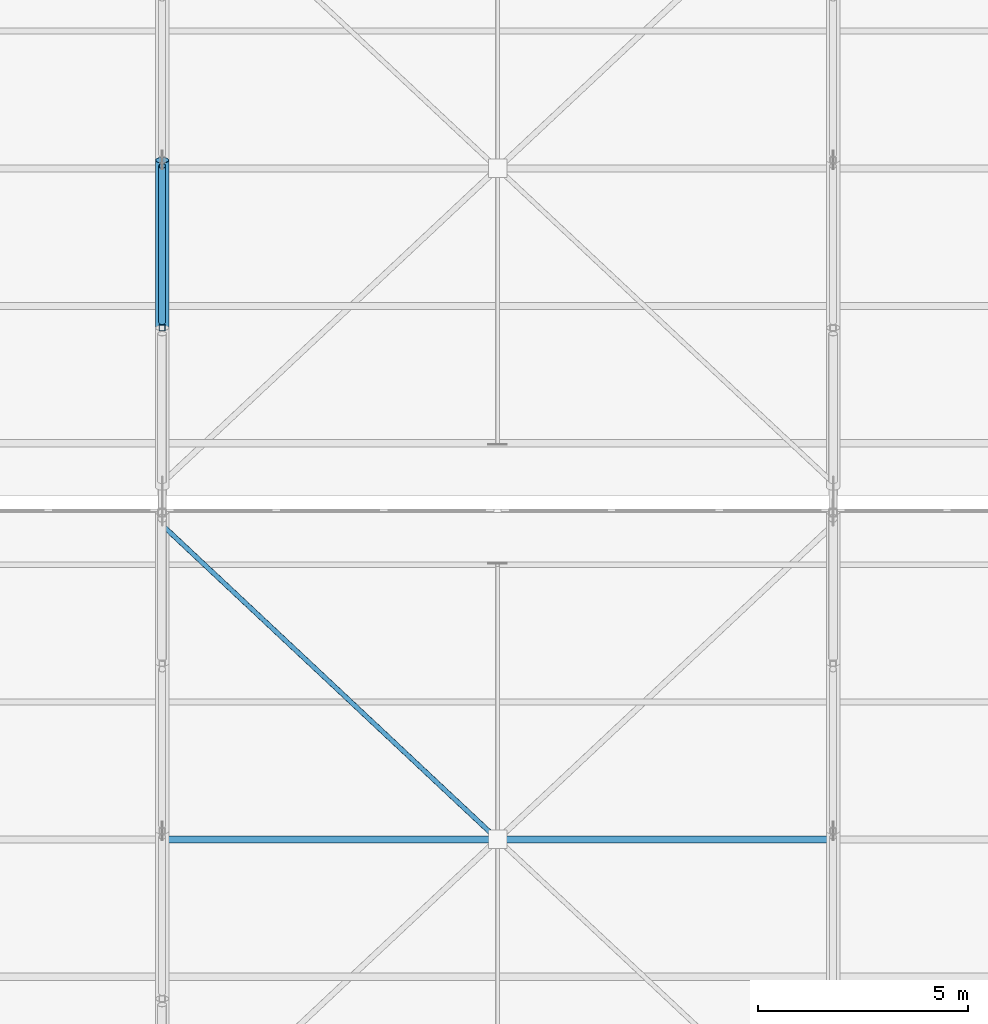
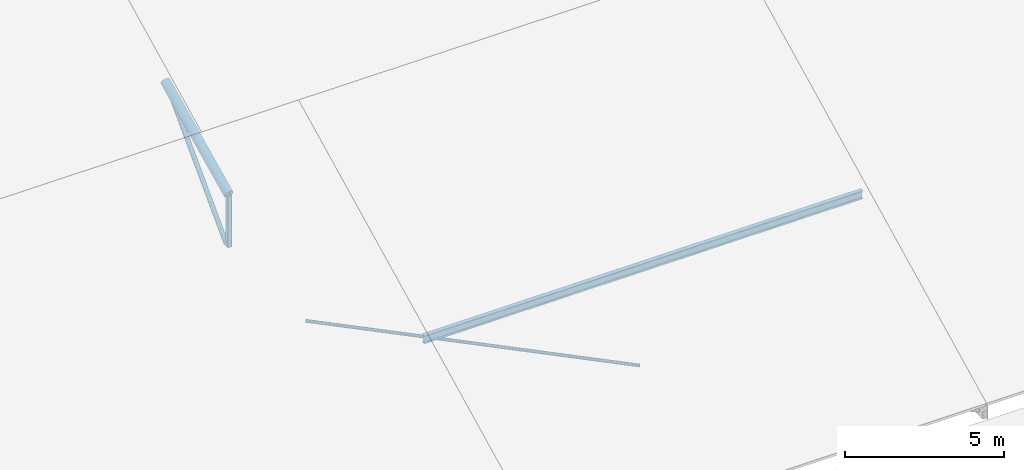
# One storey, part 76 of 137: 4 members, 1 beam.
"""IFC4 building model written with IfcOpenShell, lengths in metres."""

import ifcopenshell
import ifcopenshell.guid

model = None  # the IFC model being written
_history = None  # IfcOwnerHistory: only IFC2X3 demands one
_inside = {}  # id of a spatial element -> (the spatial element, [elements in it])
_under = {}  # id of a project, library or spatial element -> (it, [spatial elements below it])
_declared = {}  # id of a project -> (the project, [libraries it declares])
_typed = {}  # id of a type object -> (the type object, [elements of that type])
_made_of = {}  # id of a material, layer set ... -> (it, [elements and type objects made of it])


def new_model(schema):
    """Start an empty IFC model of exactly this schema.

    Asked for "IFC4X3", IfcOpenShell would pick the latest addendum, in which some entities
    have other attributes; the version numbers below select the first issue.
    IFC2X3 requires an IfcOwnerHistory on every rooted entity: one is made here for all.
    """
    global model, _history
    if schema == "IFC4X3":
        model = ifcopenshell.file(schema_version=(4, 3, 0, 0))
    else:
        model = ifcopenshell.file(schema=schema)
    _inside.clear()
    _under.clear()
    _declared.clear()
    _typed.clear()
    _made_of.clear()
    _history = None
    if model.schema == "IFC2X3":
        org = make("IfcOrganization", Name="unknown")
        user = make(
            "IfcPersonAndOrganization",
            ThePerson=make("IfcPerson", FamilyName="unknown"),
            TheOrganization=org,
        )
        app = make(
            "IfcApplication",
            ApplicationDeveloper=org,
            Version="unknown",
            ApplicationFullName="unknown",
            ApplicationIdentifier="unknown",
        )
        _history = make(
            "IfcOwnerHistory",
            OwningUser=user,
            OwningApplication=app,
            ChangeAction="ADDED",
            CreationDate=0,
        )
    return model


def make(cls, **values):
    """One entity of the class cls with the attributes given. An attribute that is None is left unset."""
    return model.create_entity(
        cls, **{name: value for name, value in values.items() if value is not None}
    )


def rooted(cls, **values):
    """An entity with a GlobalId (a new one), such as an element, a storey or a relation."""
    return make(cls, GlobalId=ifcopenshell.guid.new(), OwnerHistory=_history, **values)


def si_unit(unit_type, name, prefix=None):
    """IfcSIUnit, for example si_unit("LENGTHUNIT", "METRE", prefix="MILLI")."""
    return make("IfcSIUnit", UnitType=unit_type, Prefix=prefix, Name=name)


def assignment(units):
    """IfcUnitAssignment: the units of a project."""
    return None if units is None else make("IfcUnitAssignment", Units=units)


def point(xyz):
    """IfcCartesianPoint."""
    return None if xyz is None else make("IfcCartesianPoint", Coordinates=xyz)


def direction(xyz):
    """IfcDirection."""
    return None if xyz is None else make("IfcDirection", DirectionRatios=xyz)


def frame(location, z_axis=None, x_axis=None):
    """IfcAxis2Placement3D, a coordinate frame: its origin and axes. An axis left out is left unset."""
    return make(
        "IfcAxis2Placement3D",
        Location=point(location),
        Axis=direction(z_axis),
        RefDirection=direction(x_axis),
    )


def frame_2d(location, x_axis=None):
    """IfcAxis2Placement2D, a coordinate frame in the plane: its origin and x axis."""
    return make(
        "IfcAxis2Placement2D", Location=point(location), RefDirection=direction(x_axis)
    )


def origin():
    """The frame at (0, 0, 0) with its axes left unset."""
    return frame((0.0, 0.0, 0.0))


def origin_2d():
    """The frame at (0, 0) in the plane with its x axis left unset."""
    return frame_2d((0.0, 0.0))


def place(relative_to, where):
    """IfcLocalPlacement: puts the frame where relative to a parent placement (None: the world)."""
    return make(
        "IfcLocalPlacement", PlacementRelTo=relative_to, RelativePlacement=where
    )


def context(
    kind, dimensions, precision=None, world=None, true_north=None, identifier=None
):
    """IfcGeometricRepresentationContext, for example the 3D "Model" context."""
    return make(
        "IfcGeometricRepresentationContext",
        ContextIdentifier=identifier,
        ContextType=kind,
        CoordinateSpaceDimension=dimensions,
        Precision=precision,
        WorldCoordinateSystem=world,
        TrueNorth=true_north,
    )


def subcontext(parent, identifier, kind, view, scale=None):
    """IfcGeometricRepresentationSubContext, for example "Body" below "Model"."""
    return make(
        "IfcGeometricRepresentationSubContext",
        ContextIdentifier=identifier,
        ContextType=kind,
        ParentContext=parent,
        TargetScale=scale,
        TargetView=view,
    )


def project(units=None, contexts=None):
    """IfcProject with its units and contexts."""
    return rooted(
        "IfcProject",
        Name="project",
        RepresentationContexts=contexts,
        UnitsInContext=assignment(units),
    )


def spatial(cls, under=None, at=None, **own):
    """A site, building, storey or space (cls), placed at a placement, below another one or the project."""
    s = rooted(cls, ObjectPlacement=at, **own)
    if under is not None:
        _under.setdefault(under.id(), (under, []))[1].append(s)
    return s


def profile(cls, at=None, kind="AREA", **sizes):
    """A parametric profile (cls). Its sizes go by their IFC names, for example OverallWidth=200.0."""
    return make(cls, ProfileType=kind, Position=at, **sizes)


def hollow_rectangle(**sizes):
    """IfcRectangleHollowProfileDef."""
    return profile("IfcRectangleHollowProfileDef", **sizes)


def hollow_circle(**sizes):
    """IfcCircleHollowProfileDef."""
    return profile("IfcCircleHollowProfileDef", **sizes)


def i_section(**sizes):
    """IfcIShapeProfileDef."""
    return profile("IfcIShapeProfileDef", **sizes)


def extrude(swept, where, along, depth):
    """IfcExtrudedAreaSolid: the profile swept, set in the frame where, extruded along a direction by depth."""
    return make(
        "IfcExtrudedAreaSolid",
        SweptArea=swept,
        Position=where,
        ExtrudedDirection=direction(along),
        Depth=depth,
    )


def shape(context_of_items, identifier, shape_type, items):
    """IfcShapeRepresentation: the items that make up one representation, for example the "Body"."""
    return make(
        "IfcShapeRepresentation",
        ContextOfItems=context_of_items,
        RepresentationIdentifier=identifier,
        RepresentationType=shape_type,
        Items=items,
    )


def material(Name=None, Category=None):
    """IfcMaterial."""
    return make("IfcMaterial", Name=Name, Category=Category)


def material_profile(
    of_material, cross_section, Name=None, Category=None, Priority=None
):
    """IfcMaterialProfile: a cross section and its material."""
    return make(
        "IfcMaterialProfile",
        Name=Name,
        Material=of_material,
        Profile=cross_section,
        Priority=Priority,
        Category=Category,
    )


def profile_set(profiles, Name=None, composite=None):
    """IfcMaterialProfileSet."""
    return make(
        "IfcMaterialProfileSet",
        Name=Name,
        MaterialProfiles=profiles,
        CompositeProfile=composite,
    )


def made_of(thing, what):
    """Note that an element or type object is made of a material, layer set ...; save() writes the relation."""
    if what is not None:
        _made_of.setdefault(what.id(), (what, []))[1].append(thing)
    return thing


def type_object(cls, material=None, **own):
    """A type object (cls), such as IfcWallType, which elements share."""
    return made_of(rooted(cls, **own), material)


def element(
    cls,
    number,
    at=None,
    inside=None,
    cuts=None,
    type_object=None,
    material=None,
    context=None,
    identifier="Body",
    shape_type=None,
    held_by="IfcProductDefinitionShape",
    body=None,
    shapes=None,
    **own,
):
    """One element of the class cls, such as IfcWall. Its Tag is "e" and its number.

    at: its placement. inside: the storey or other place that contains it. cuts: it is an
    opening in that element (IfcRelVoidsElement). A single representation is given by context,
    identifier, shape_type and body (its items); several are given by shapes. held_by: the class
    of the entity that holds the representations. save() writes the other relations.
    """
    e = rooted(cls, Tag="e%d" % number, ObjectPlacement=at, **own)
    if body is not None:
        shapes = [shape(context, identifier, shape_type, body)]
    if shapes is not None:
        e.Representation = make(held_by, Representations=shapes)
    if inside is not None:
        _inside.setdefault(inside.id(), (inside, []))[1].append(e)
    if cuts is not None:
        rooted(
            "IfcRelVoidsElement", RelatingBuildingElement=cuts, RelatedOpeningElement=e
        )
    if type_object is not None:
        _typed.setdefault(type_object.id(), (type_object, []))[1].append(e)
    return made_of(e, material)


def aggregate(whole, parts):
    """IfcRelAggregates: a whole, such as a stair, and the parts it consists of."""
    return rooted("IfcRelAggregates", RelatingObject=whole, RelatedObjects=parts)


def save(model, path):
    """Write the relations noted so far, then the file.

    IfcRelAggregates (storeys below a building ...), IfcRelContainedInSpatialStructure (elements
    in a storey), IfcRelDefinesByType, IfcRelAssociatesMaterial and IfcRelDeclares: one each for
    every whole, place, type object, material and project.
    """
    for whole, parts in _under.values():
        aggregate(whole, parts)
    for where, things in _inside.values():
        rooted(
            "IfcRelContainedInSpatialStructure",
            RelatedElements=things,
            RelatingStructure=where,
        )
    for kind, things in _typed.values():
        rooted("IfcRelDefinesByType", RelatedObjects=things, RelatingType=kind)
    for what, things in _made_of.values():
        rooted("IfcRelAssociatesMaterial", RelatedObjects=things, RelatingMaterial=what)
    for by, libraries in _declared.values():
        rooted("IfcRelDeclares", RelatingContext=by, RelatedDefinitions=libraries)
    model.write(path)


model = new_model("IFC4")

# Units and contexts
model_context = context("Model", 3, precision=1e-05, world=origin(), true_north=direction((0.0, 1.0)))
body_context = subcontext(model_context, "Body", "Model", "MODEL_VIEW")
ifc_project = project(units=[si_unit("LENGTHUNIT", "METRE"), si_unit("AREAUNIT", "SQUARE_METRE"), si_unit("VOLUMEUNIT", "CUBIC_METRE"), si_unit("PLANEANGLEUNIT", "RADIAN"), si_unit("MASSUNIT", "GRAM", prefix="KILO")], contexts=[model_context])

# Site, building, storey
site_placement = place(None, origin())
site = spatial("IfcSite", under=ifc_project, at=site_placement, CompositionType="ELEMENT")
building_placement = place(site_placement, origin())
building = spatial("IfcBuilding", under=site, at=building_placement, Name="Jelvoka-Kovrelna Polytechnic", CompositionType="ELEMENT")
storey_placement = place(building_placement, frame((0.0, 0.0, 9.60009765625)))
storey = spatial("IfcBuildingStorey", under=building, at=storey_placement, Name="L03", CompositionType="ELEMENT", Elevation=9.60009765625)

# Members
ifc_material_1 = material(Name="Structural steel S355J2H", Category="steel")
ifc_material_profile_1 = material_profile(ifc_material_1, hollow_circle(Radius=0.05712890625, WallThickness=0.00634765625, at=origin_2d()), Name="114.3x6.3 CHS")
ifc_profile_set_1 = profile_set([ifc_material_profile_1], Name="Structural steel S355J2H")
member_type_1 = type_object("IfcMemberType", Name="Member_Brace_CHS114", PredefinedType="BRACE", material=ifc_profile_set_1)
member_1_placement = place(storey_placement, frame((152.050048828125, 103.25, 0.14990234375), z_axis=(0.729679522085, -0.683789291412, 0.0), x_axis=(0.683789291412, 0.729679522085, 0.0)))
element("IfcMember", 1, at=member_1_placement, inside=storey, type_object=member_type_1, Name="Sawtooth roof split X-brace half-diagonal 0219", PredefinedType="BRACE", context=body_context, shape_type="SweptSolid", body=[
    extrude(hollow_circle(Radius=0.05712890625, WallThickness=0.00634765625, at=origin_2d()), origin(), (0.0, 0.0, 1.0), 10.80517578125),
])
ifc_material_2 = material(Name="Structural steel S355J2H", Category="steel")
ifc_material_profile_2 = material_profile(ifc_material_2, hollow_circle(Radius=0.084228515625, WallThickness=0.008056640625, at=origin_2d()), Name="168.3x8.0 CHS")
ifc_profile_set_2 = profile_set([ifc_material_profile_2], Name="Structural steel S355J2H")
member_type_2 = type_object("IfcMemberType", Name="Member_Brace_CHS168", PredefinedType="BRACE", material=ifc_profile_set_2)
member_2_placement = place(storey_placement, frame((152.0, 108.139892578125, 0.14990234375), z_axis=(0.0, 0.69521468222, 0.718802160282), x_axis=(-1.0, 0.0, 0.0)))
element("IfcMember", 2, at=member_2_placement, inside=storey, type_object=member_type_2, Name="Sawtooth truss 5 diagonal web 2.2", PredefinedType="BRACE", context=body_context, shape_type="SweptSolid", body=[
    extrude(hollow_circle(Radius=0.084228515625, WallThickness=0.008056640625, at=origin_2d()), origin(), (0.0, 0.0, 1.0), 5.35107421875),
])
ifc_material_3 = material(Name="Structural steel S355J2H", Category="steel")
ifc_material_profile_3 = material_profile(ifc_material_3, hollow_circle(Radius=0.161865234375, WallThickness=0.010009765625, at=origin_2d()), Name="323.9x10.0 CHS")
ifc_profile_set_3 = profile_set([ifc_material_profile_3], Name="Structural steel S355J2H")
member_type_3 = type_object("IfcMemberType", Name="Member_Chord_CHS324", PredefinedType="CHORD", material=ifc_profile_set_3)
member_3_placement = place(storey_placement, frame((152.0, 108.0, 2.148193359375), z_axis=(0.0, 0.900799405566, 0.434235455637), x_axis=(-1.0, 0.0, 0.0)))
element("IfcMember", 3, at=member_3_placement, inside=storey, type_object=member_type_3, Name="Sawtooth truss 5 top chord 2.2", PredefinedType="CHORD", context=body_context, shape_type="SweptSolid", body=[
    extrude(hollow_circle(Radius=0.161865234375, WallThickness=0.010009765625, at=origin_2d()), origin(), (0.0, 0.0, 1.0), 4.4404296875),
])
ifc_material_4 = material(Name="Structural steel S355J2H", Category="steel")
ifc_material_profile_4 = material_profile(ifc_material_4, hollow_rectangle(XDim=0.14990234375, YDim=0.14990234375, WallThickness=0.008056640625, InnerFilletRadius=0.008056640625, OuterFilletRadius=0.011962890625, at=origin_2d()), Name="150x150x8.0 SHS")
ifc_profile_set_4 = profile_set([ifc_material_profile_4], Name="Structural steel S355J2H")
member_type_4 = type_object("IfcMemberType", Name="Member_Post_SHS150", PredefinedType="POST", material=ifc_profile_set_4)
member_4_placement = place(storey_placement, frame((152.0, 108.0, 0.14990234375), z_axis=(0.0, 0.0, 1.0), x_axis=(1.0, 0.0, 0.0)))
element("IfcMember", 4, at=member_4_placement, inside=storey, type_object=member_type_4, Name="Sawtooth truss 5 web post 2.2", PredefinedType="POST", context=body_context, shape_type="SweptSolid", body=[
    extrude(hollow_rectangle(XDim=0.14990234375, YDim=0.14990234375, WallThickness=0.008056640625, InnerFilletRadius=0.008056640625, OuterFilletRadius=0.011962890625, at=origin_2d()), origin(), (0.0, 0.0, 1.0), 1.998291015625),
])

# Beam
ifc_material_5 = material(Name="Structural steel S355JR", Category="steel")
ifc_material_profile_5 = material_profile(ifc_material_5, i_section(OverallWidth=0.1650390625, OverallDepth=0.303466796875, WebThickness=0.006103515625, FlangeThickness=0.01025390625, FilletRadius=0.0087890625, at=origin_2d()), Name="305x165x40 UB")
ifc_profile_set_5 = profile_set([ifc_material_profile_5], Name="Structural steel S355JR")
beam_type = type_object("IfcBeamType", Name="Purlin_Steel_UB305", PredefinedType="JOIST", material=ifc_profile_set_5)
beam_placement = place(storey_placement, frame((152.02001953125, 95.800048828125, 3.97998046875), z_axis=(1.0, 0.0, 0.0), x_axis=(0.0, 1.0, 0.0)))
element("IfcBeam", 5, at=beam_placement, inside=storey, type_object=beam_type, Name="Sawtooth roof purlin 043", PredefinedType="JOIST", context=body_context, shape_type="SweptSolid", body=[
    extrude(i_section(OverallWidth=0.1650390625, OverallDepth=0.303466796875, WebThickness=0.006103515625, FlangeThickness=0.01025390625, FilletRadius=0.0087890625, at=origin_2d()), origin(), (0.0, 0.0, 1.0), 15.9599609375),
])

save(model, "model.ifc")
